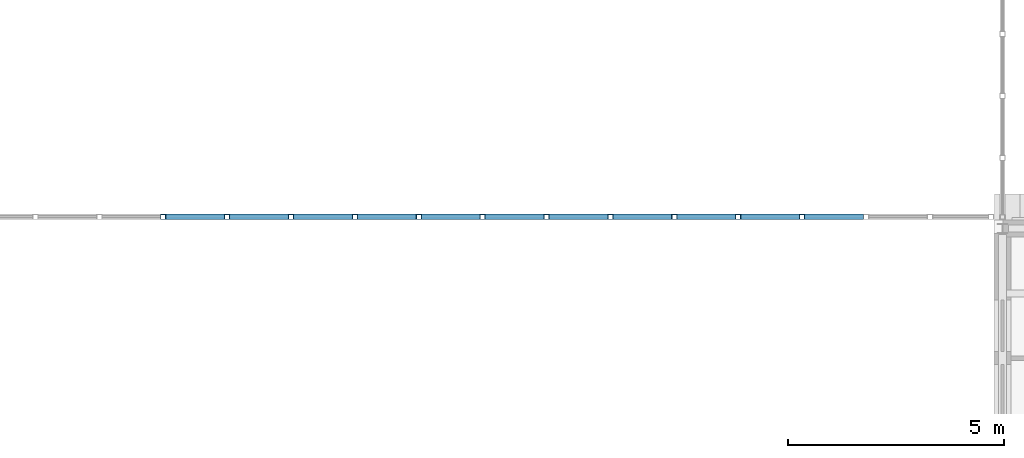
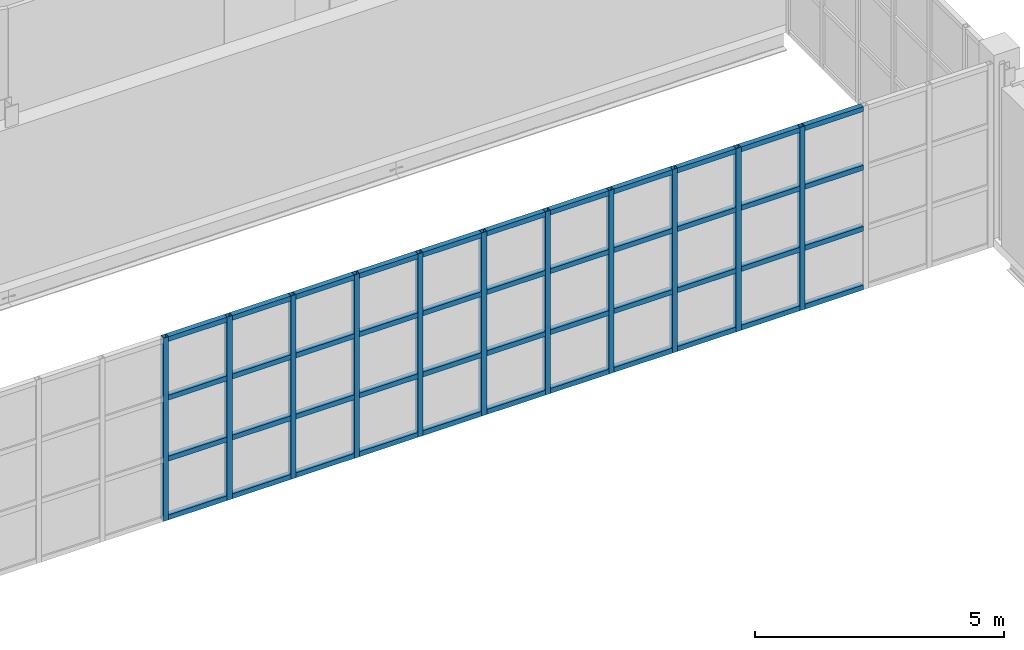
# One storey, part 48 of 131: 55 members, 1 element without a shape of its own.
"""IFC4 building model written with IfcOpenShell, lengths in metres."""

from ifc_helpers import new_model, si_unit, direction, frame, origin, origin_2d, place, context, subcontext, project, spatial, hollow_rectangle, extrude, material, material_profile, profile_set, type_object, element, aggregate, save


model = new_model("IFC4")

# Units and contexts
model_context = context("Model", 3, precision=1e-05, world=origin(), true_north=direction((0.0, 1.0)))
body_context = subcontext(model_context, "Body", "Model", "MODEL_VIEW")
ifc_project = project(units=[si_unit("LENGTHUNIT", "METRE"), si_unit("AREAUNIT", "SQUARE_METRE"), si_unit("VOLUMEUNIT", "CUBIC_METRE"), si_unit("PLANEANGLEUNIT", "RADIAN"), si_unit("MASSUNIT", "GRAM", prefix="KILO")], contexts=[model_context])

# Site, building, storey
site_placement = place(None, origin())
site = spatial("IfcSite", under=ifc_project, at=site_placement, CompositionType="ELEMENT")
building_placement = place(site_placement, origin())
building = spatial("IfcBuilding", under=site, at=building_placement, Name="Golden Quay Civic Hall", CompositionType="ELEMENT")
storey_placement = place(building_placement, frame((0.0, 0.0, 9.89990234375)))
storey = spatial("IfcBuildingStorey", under=building, at=storey_placement, Name="L02", CompositionType="ELEMENT", Elevation=9.89990234375)

# Curtain wall, members
ifc_material_1 = material(Name="Fire-resisting glass and steel", Category="steel")
curtain_wall_type = type_object("IfcCurtainWallType", Name="Fire-resisting glazed curtain wall EI 120", PredefinedType="NOTDEFINED", material=ifc_material_1)
curtain_wall_placement = place(storey_placement, origin())
curtain_wall = element("IfcCurtainWall", 1, at=curtain_wall_placement, inside=storey, type_object=curtain_wall_type, Name="CW3 curtain wall", PredefinedType="NOTDEFINED")
ifc_material_2 = material(Name="Steel S355", Category="steel")
ifc_material_profile_1 = material_profile(ifc_material_2, hollow_rectangle(XDim=0.1201171875, YDim=0.1201171875, WallThickness=0.008056640625, at=origin_2d()), Name="SHS 120x120x8")
ifc_profile_set_1 = profile_set([ifc_material_profile_1], Name="Steel S355")
member_type_1 = type_object("IfcMemberType", Name="Fire-resisting steel mullion SHS 120x120x8", PredefinedType="MULLION", material=ifc_profile_set_1)
member_1_placement = place(storey_placement, frame((79.5888671875, 54.27001953125, -0.199951171875), z_axis=(0.0, 0.0, 1.0), x_axis=(0.0, 1.0, 0.0)))
member_1 = element("IfcMember", 2, at=member_1_placement, type_object=member_type_1, Name="CW3 mullion 6", PredefinedType="MULLION", context=body_context, shape_type="SweptSolid", body=[
    extrude(hollow_rectangle(XDim=0.1201171875, YDim=0.1201171875, WallThickness=0.008056640625, at=origin_2d()), origin(), (0.0, 0.0, 1.0), 4.5),
])
member_2_placement = place(storey_placement, frame((81.066650390625, 54.27001953125, -0.199951171875), z_axis=(0.0, 0.0, 1.0), x_axis=(0.0, 1.0, 0.0)))
member_2 = element("IfcMember", 3, at=member_2_placement, type_object=member_type_1, Name="CW3 mullion 7", PredefinedType="MULLION", context=body_context, shape_type="SweptSolid", body=[
    extrude(hollow_rectangle(XDim=0.1201171875, YDim=0.1201171875, WallThickness=0.008056640625, at=origin_2d()), origin(), (0.0, 0.0, 1.0), 4.5),
])
member_3_placement = place(storey_placement, frame((82.54443359375, 54.27001953125, -0.199951171875), z_axis=(0.0, 0.0, 1.0), x_axis=(0.0, 1.0, 0.0)))
member_3 = element("IfcMember", 4, at=member_3_placement, type_object=member_type_1, Name="CW3 mullion 8", PredefinedType="MULLION", context=body_context, shape_type="SweptSolid", body=[
    extrude(hollow_rectangle(XDim=0.1201171875, YDim=0.1201171875, WallThickness=0.008056640625, at=origin_2d()), origin(), (0.0, 0.0, 1.0), 4.5),
])
member_4_placement = place(storey_placement, frame((84.022216796875, 54.27001953125, -0.199951171875), z_axis=(0.0, 0.0, 1.0), x_axis=(0.0, 1.0, 0.0)))
member_4 = element("IfcMember", 5, at=member_4_placement, type_object=member_type_1, Name="CW3 mullion 9", PredefinedType="MULLION", context=body_context, shape_type="SweptSolid", body=[
    extrude(hollow_rectangle(XDim=0.1201171875, YDim=0.1201171875, WallThickness=0.008056640625, at=origin_2d()), origin(), (0.0, 0.0, 1.0), 4.5),
])
member_5_placement = place(storey_placement, frame((85.5, 54.27001953125, -0.199951171875), z_axis=(0.0, 0.0, 1.0), x_axis=(0.0, 1.0, 0.0)))
member_5 = element("IfcMember", 6, at=member_5_placement, type_object=member_type_1, Name="CW3 mullion 10", PredefinedType="MULLION", context=body_context, shape_type="SweptSolid", body=[
    extrude(hollow_rectangle(XDim=0.1201171875, YDim=0.1201171875, WallThickness=0.008056640625, at=origin_2d()), origin(), (0.0, 0.0, 1.0), 4.5),
])
member_6_placement = place(storey_placement, frame((86.977783203125, 54.27001953125, -0.199951171875), z_axis=(0.0, 0.0, 1.0), x_axis=(0.0, 1.0, 0.0)))
member_6 = element("IfcMember", 7, at=member_6_placement, type_object=member_type_1, Name="CW3 mullion 11", PredefinedType="MULLION", context=body_context, shape_type="SweptSolid", body=[
    extrude(hollow_rectangle(XDim=0.1201171875, YDim=0.1201171875, WallThickness=0.008056640625, at=origin_2d()), origin(), (0.0, 0.0, 1.0), 4.5),
])
member_7_placement = place(storey_placement, frame((88.45556640625, 54.27001953125, -0.199951171875), z_axis=(0.0, 0.0, 1.0), x_axis=(0.0, 1.0, 0.0)))
member_7 = element("IfcMember", 8, at=member_7_placement, type_object=member_type_1, Name="CW3 mullion 12", PredefinedType="MULLION", context=body_context, shape_type="SweptSolid", body=[
    extrude(hollow_rectangle(XDim=0.1201171875, YDim=0.1201171875, WallThickness=0.008056640625, at=origin_2d()), origin(), (0.0, 0.0, 1.0), 4.5),
])
member_8_placement = place(storey_placement, frame((89.933349609375, 54.27001953125, -0.199951171875), z_axis=(0.0, 0.0, 1.0), x_axis=(0.0, 1.0, 0.0)))
member_8 = element("IfcMember", 9, at=member_8_placement, type_object=member_type_1, Name="CW3 mullion 13", PredefinedType="MULLION", context=body_context, shape_type="SweptSolid", body=[
    extrude(hollow_rectangle(XDim=0.1201171875, YDim=0.1201171875, WallThickness=0.008056640625, at=origin_2d()), origin(), (0.0, 0.0, 1.0), 4.5),
])
member_9_placement = place(storey_placement, frame((91.4111328125, 54.27001953125, -0.199951171875), z_axis=(0.0, 0.0, 1.0), x_axis=(0.0, 1.0, 0.0)))
member_9 = element("IfcMember", 10, at=member_9_placement, type_object=member_type_1, Name="CW3 mullion 14", PredefinedType="MULLION", context=body_context, shape_type="SweptSolid", body=[
    extrude(hollow_rectangle(XDim=0.1201171875, YDim=0.1201171875, WallThickness=0.008056640625, at=origin_2d()), origin(), (0.0, 0.0, 1.0), 4.5),
])
member_10_placement = place(storey_placement, frame((92.888916015625, 54.27001953125, -0.199951171875), z_axis=(0.0, 0.0, 1.0), x_axis=(0.0, 1.0, 0.0)))
member_10 = element("IfcMember", 11, at=member_10_placement, type_object=member_type_1, Name="CW3 mullion 15", PredefinedType="MULLION", context=body_context, shape_type="SweptSolid", body=[
    extrude(hollow_rectangle(XDim=0.1201171875, YDim=0.1201171875, WallThickness=0.008056640625, at=origin_2d()), origin(), (0.0, 0.0, 1.0), 4.5),
])
member_11_placement = place(storey_placement, frame((94.36669921875, 54.27001953125, -0.199951171875), z_axis=(0.0, 0.0, 1.0), x_axis=(0.0, 1.0, 0.0)))
member_11 = element("IfcMember", 12, at=member_11_placement, type_object=member_type_1, Name="CW3 mullion 16", PredefinedType="MULLION", context=body_context, shape_type="SweptSolid", body=[
    extrude(hollow_rectangle(XDim=0.1201171875, YDim=0.1201171875, WallThickness=0.008056640625, at=origin_2d()), origin(), (0.0, 0.0, 1.0), 4.5),
])
ifc_material_3 = material(Name="Steel S355", Category="steel")
ifc_material_profile_2 = material_profile(ifc_material_3, hollow_rectangle(XDim=0.1201171875, YDim=0.1201171875, WallThickness=0.008056640625, at=origin_2d()), Name="SHS 120x120x8")
ifc_profile_set_2 = profile_set([ifc_material_profile_2], Name="Steel S355")
member_type_2 = type_object("IfcMemberType", Name="Fire-resisting steel transom SHS 120x120x8", PredefinedType="USERDEFINED", material=ifc_profile_set_2)
member_12_placement = place(storey_placement, frame((79.64892578125, 54.27001953125, -0.139892578125), z_axis=(1.0, 0.0, 0.0), x_axis=(0.0, 1.0, 0.0)))
member_12 = element("IfcMember", 13, at=member_12_placement, type_object=member_type_2, Name="CW3 transom 6.1", ObjectType="TRANSOM", PredefinedType="USERDEFINED", context=body_context, shape_type="SweptSolid", body=[
    extrude(hollow_rectangle(XDim=0.1201171875, YDim=0.1201171875, WallThickness=0.008056640625, at=origin_2d()), origin(), (0.0, 0.0, 1.0), 1.357666015625),
])
member_13_placement = place(storey_placement, frame((79.64892578125, 54.27001953125, 1.300048828125), z_axis=(1.0, 0.0, 0.0), x_axis=(0.0, 1.0, 0.0)))
member_13 = element("IfcMember", 14, at=member_13_placement, type_object=member_type_2, Name="CW3 transom 6.2", ObjectType="TRANSOM", PredefinedType="USERDEFINED", context=body_context, shape_type="SweptSolid", body=[
    extrude(hollow_rectangle(XDim=0.1201171875, YDim=0.1201171875, WallThickness=0.008056640625, at=origin_2d()), origin(), (0.0, 0.0, 1.0), 1.357666015625),
])
member_14_placement = place(storey_placement, frame((79.64892578125, 54.27001953125, 2.800048828125), z_axis=(1.0, 0.0, 0.0), x_axis=(0.0, 1.0, 0.0)))
member_14 = element("IfcMember", 15, at=member_14_placement, type_object=member_type_2, Name="CW3 transom 6.3", ObjectType="TRANSOM", PredefinedType="USERDEFINED", context=body_context, shape_type="SweptSolid", body=[
    extrude(hollow_rectangle(XDim=0.1201171875, YDim=0.1201171875, WallThickness=0.008056640625, at=origin_2d()), origin(), (0.0, 0.0, 1.0), 1.357666015625),
])
member_15_placement = place(storey_placement, frame((79.64892578125, 54.27001953125, 4.239990234375), z_axis=(1.0, 0.0, 0.0), x_axis=(0.0, 1.0, 0.0)))
member_15 = element("IfcMember", 16, at=member_15_placement, type_object=member_type_2, Name="CW3 transom 6.4", ObjectType="TRANSOM", PredefinedType="USERDEFINED", context=body_context, shape_type="SweptSolid", body=[
    extrude(hollow_rectangle(XDim=0.1201171875, YDim=0.1201171875, WallThickness=0.008056640625, at=origin_2d()), origin(), (0.0, 0.0, 1.0), 1.357666015625),
])
member_16_placement = place(storey_placement, frame((81.126708984375, 54.27001953125, -0.139892578125), z_axis=(1.0, 0.0, 0.0), x_axis=(0.0, 1.0, 0.0)))
member_16 = element("IfcMember", 17, at=member_16_placement, type_object=member_type_2, Name="CW3 transom 7.1", ObjectType="TRANSOM", PredefinedType="USERDEFINED", context=body_context, shape_type="SweptSolid", body=[
    extrude(hollow_rectangle(XDim=0.1201171875, YDim=0.1201171875, WallThickness=0.008056640625, at=origin_2d()), origin(), (0.0, 0.0, 1.0), 1.357666015625),
])
member_17_placement = place(storey_placement, frame((81.126708984375, 54.27001953125, 1.300048828125), z_axis=(1.0, 0.0, 0.0), x_axis=(0.0, 1.0, 0.0)))
member_17 = element("IfcMember", 18, at=member_17_placement, type_object=member_type_2, Name="CW3 transom 7.2", ObjectType="TRANSOM", PredefinedType="USERDEFINED", context=body_context, shape_type="SweptSolid", body=[
    extrude(hollow_rectangle(XDim=0.1201171875, YDim=0.1201171875, WallThickness=0.008056640625, at=origin_2d()), origin(), (0.0, 0.0, 1.0), 1.357666015625),
])
member_18_placement = place(storey_placement, frame((81.126708984375, 54.27001953125, 2.800048828125), z_axis=(1.0, 0.0, 0.0), x_axis=(0.0, 1.0, 0.0)))
member_18 = element("IfcMember", 19, at=member_18_placement, type_object=member_type_2, Name="CW3 transom 7.3", ObjectType="TRANSOM", PredefinedType="USERDEFINED", context=body_context, shape_type="SweptSolid", body=[
    extrude(hollow_rectangle(XDim=0.1201171875, YDim=0.1201171875, WallThickness=0.008056640625, at=origin_2d()), origin(), (0.0, 0.0, 1.0), 1.357666015625),
])
member_19_placement = place(storey_placement, frame((81.126708984375, 54.27001953125, 4.239990234375), z_axis=(1.0, 0.0, 0.0), x_axis=(0.0, 1.0, 0.0)))
member_19 = element("IfcMember", 20, at=member_19_placement, type_object=member_type_2, Name="CW3 transom 7.4", ObjectType="TRANSOM", PredefinedType="USERDEFINED", context=body_context, shape_type="SweptSolid", body=[
    extrude(hollow_rectangle(XDim=0.1201171875, YDim=0.1201171875, WallThickness=0.008056640625, at=origin_2d()), origin(), (0.0, 0.0, 1.0), 1.357666015625),
])
member_20_placement = place(storey_placement, frame((82.6044921875, 54.27001953125, -0.139892578125), z_axis=(1.0, 0.0, 0.0), x_axis=(0.0, 1.0, 0.0)))
member_20 = element("IfcMember", 21, at=member_20_placement, type_object=member_type_2, Name="CW3 transom 8.1", ObjectType="TRANSOM", PredefinedType="USERDEFINED", context=body_context, shape_type="SweptSolid", body=[
    extrude(hollow_rectangle(XDim=0.1201171875, YDim=0.1201171875, WallThickness=0.008056640625, at=origin_2d()), origin(), (0.0, 0.0, 1.0), 1.357666015625),
])
member_21_placement = place(storey_placement, frame((82.6044921875, 54.27001953125, 1.300048828125), z_axis=(1.0, 0.0, 0.0), x_axis=(0.0, 1.0, 0.0)))
member_21 = element("IfcMember", 22, at=member_21_placement, type_object=member_type_2, Name="CW3 transom 8.2", ObjectType="TRANSOM", PredefinedType="USERDEFINED", context=body_context, shape_type="SweptSolid", body=[
    extrude(hollow_rectangle(XDim=0.1201171875, YDim=0.1201171875, WallThickness=0.008056640625, at=origin_2d()), origin(), (0.0, 0.0, 1.0), 1.357666015625),
])
member_22_placement = place(storey_placement, frame((82.6044921875, 54.27001953125, 2.800048828125), z_axis=(1.0, 0.0, 0.0), x_axis=(0.0, 1.0, 0.0)))
member_22 = element("IfcMember", 23, at=member_22_placement, type_object=member_type_2, Name="CW3 transom 8.3", ObjectType="TRANSOM", PredefinedType="USERDEFINED", context=body_context, shape_type="SweptSolid", body=[
    extrude(hollow_rectangle(XDim=0.1201171875, YDim=0.1201171875, WallThickness=0.008056640625, at=origin_2d()), origin(), (0.0, 0.0, 1.0), 1.357666015625),
])
member_23_placement = place(storey_placement, frame((82.6044921875, 54.27001953125, 4.239990234375), z_axis=(1.0, 0.0, 0.0), x_axis=(0.0, 1.0, 0.0)))
member_23 = element("IfcMember", 24, at=member_23_placement, type_object=member_type_2, Name="CW3 transom 8.4", ObjectType="TRANSOM", PredefinedType="USERDEFINED", context=body_context, shape_type="SweptSolid", body=[
    extrude(hollow_rectangle(XDim=0.1201171875, YDim=0.1201171875, WallThickness=0.008056640625, at=origin_2d()), origin(), (0.0, 0.0, 1.0), 1.357666015625),
])
member_24_placement = place(storey_placement, frame((84.082275390625, 54.27001953125, -0.139892578125), z_axis=(1.0, 0.0, 0.0), x_axis=(0.0, 1.0, 0.0)))
member_24 = element("IfcMember", 25, at=member_24_placement, type_object=member_type_2, Name="CW3 transom 9.1", ObjectType="TRANSOM", PredefinedType="USERDEFINED", context=body_context, shape_type="SweptSolid", body=[
    extrude(hollow_rectangle(XDim=0.1201171875, YDim=0.1201171875, WallThickness=0.008056640625, at=origin_2d()), origin(), (0.0, 0.0, 1.0), 1.357666015625),
])
member_25_placement = place(storey_placement, frame((84.082275390625, 54.27001953125, 1.300048828125), z_axis=(1.0, 0.0, 0.0), x_axis=(0.0, 1.0, 0.0)))
member_25 = element("IfcMember", 26, at=member_25_placement, type_object=member_type_2, Name="CW3 transom 9.2", ObjectType="TRANSOM", PredefinedType="USERDEFINED", context=body_context, shape_type="SweptSolid", body=[
    extrude(hollow_rectangle(XDim=0.1201171875, YDim=0.1201171875, WallThickness=0.008056640625, at=origin_2d()), origin(), (0.0, 0.0, 1.0), 1.357666015625),
])
member_26_placement = place(storey_placement, frame((84.082275390625, 54.27001953125, 2.800048828125), z_axis=(1.0, 0.0, 0.0), x_axis=(0.0, 1.0, 0.0)))
member_26 = element("IfcMember", 27, at=member_26_placement, type_object=member_type_2, Name="CW3 transom 9.3", ObjectType="TRANSOM", PredefinedType="USERDEFINED", context=body_context, shape_type="SweptSolid", body=[
    extrude(hollow_rectangle(XDim=0.1201171875, YDim=0.1201171875, WallThickness=0.008056640625, at=origin_2d()), origin(), (0.0, 0.0, 1.0), 1.357666015625),
])
member_27_placement = place(storey_placement, frame((84.082275390625, 54.27001953125, 4.239990234375), z_axis=(1.0, 0.0, 0.0), x_axis=(0.0, 1.0, 0.0)))
member_27 = element("IfcMember", 28, at=member_27_placement, type_object=member_type_2, Name="CW3 transom 9.4", ObjectType="TRANSOM", PredefinedType="USERDEFINED", context=body_context, shape_type="SweptSolid", body=[
    extrude(hollow_rectangle(XDim=0.1201171875, YDim=0.1201171875, WallThickness=0.008056640625, at=origin_2d()), origin(), (0.0, 0.0, 1.0), 1.357666015625),
])
member_28_placement = place(storey_placement, frame((85.56005859375, 54.27001953125, -0.139892578125), z_axis=(1.0, 0.0, 0.0), x_axis=(0.0, 1.0, 0.0)))
member_28 = element("IfcMember", 29, at=member_28_placement, type_object=member_type_2, Name="CW3 transom 10.1", ObjectType="TRANSOM", PredefinedType="USERDEFINED", context=body_context, shape_type="SweptSolid", body=[
    extrude(hollow_rectangle(XDim=0.1201171875, YDim=0.1201171875, WallThickness=0.008056640625, at=origin_2d()), origin(), (0.0, 0.0, 1.0), 1.357666015625),
])
member_29_placement = place(storey_placement, frame((85.56005859375, 54.27001953125, 1.300048828125), z_axis=(1.0, 0.0, 0.0), x_axis=(0.0, 1.0, 0.0)))
member_29 = element("IfcMember", 30, at=member_29_placement, type_object=member_type_2, Name="CW3 transom 10.2", ObjectType="TRANSOM", PredefinedType="USERDEFINED", context=body_context, shape_type="SweptSolid", body=[
    extrude(hollow_rectangle(XDim=0.1201171875, YDim=0.1201171875, WallThickness=0.008056640625, at=origin_2d()), origin(), (0.0, 0.0, 1.0), 1.357666015625),
])
member_30_placement = place(storey_placement, frame((85.56005859375, 54.27001953125, 2.800048828125), z_axis=(1.0, 0.0, 0.0), x_axis=(0.0, 1.0, 0.0)))
member_30 = element("IfcMember", 31, at=member_30_placement, type_object=member_type_2, Name="CW3 transom 10.3", ObjectType="TRANSOM", PredefinedType="USERDEFINED", context=body_context, shape_type="SweptSolid", body=[
    extrude(hollow_rectangle(XDim=0.1201171875, YDim=0.1201171875, WallThickness=0.008056640625, at=origin_2d()), origin(), (0.0, 0.0, 1.0), 1.357666015625),
])
member_31_placement = place(storey_placement, frame((85.56005859375, 54.27001953125, 4.239990234375), z_axis=(1.0, 0.0, 0.0), x_axis=(0.0, 1.0, 0.0)))
member_31 = element("IfcMember", 32, at=member_31_placement, type_object=member_type_2, Name="CW3 transom 10.4", ObjectType="TRANSOM", PredefinedType="USERDEFINED", context=body_context, shape_type="SweptSolid", body=[
    extrude(hollow_rectangle(XDim=0.1201171875, YDim=0.1201171875, WallThickness=0.008056640625, at=origin_2d()), origin(), (0.0, 0.0, 1.0), 1.357666015625),
])
member_32_placement = place(storey_placement, frame((87.037841796875, 54.27001953125, -0.139892578125), z_axis=(1.0, 0.0, 0.0), x_axis=(0.0, 1.0, 0.0)))
member_32 = element("IfcMember", 33, at=member_32_placement, type_object=member_type_2, Name="CW3 transom 11.1", ObjectType="TRANSOM", PredefinedType="USERDEFINED", context=body_context, shape_type="SweptSolid", body=[
    extrude(hollow_rectangle(XDim=0.1201171875, YDim=0.1201171875, WallThickness=0.008056640625, at=origin_2d()), origin(), (0.0, 0.0, 1.0), 1.357666015625),
])
member_33_placement = place(storey_placement, frame((87.037841796875, 54.27001953125, 1.300048828125), z_axis=(1.0, 0.0, 0.0), x_axis=(0.0, 1.0, 0.0)))
member_33 = element("IfcMember", 34, at=member_33_placement, type_object=member_type_2, Name="CW3 transom 11.2", ObjectType="TRANSOM", PredefinedType="USERDEFINED", context=body_context, shape_type="SweptSolid", body=[
    extrude(hollow_rectangle(XDim=0.1201171875, YDim=0.1201171875, WallThickness=0.008056640625, at=origin_2d()), origin(), (0.0, 0.0, 1.0), 1.357666015625),
])
member_34_placement = place(storey_placement, frame((87.037841796875, 54.27001953125, 2.800048828125), z_axis=(1.0, 0.0, 0.0), x_axis=(0.0, 1.0, 0.0)))
member_34 = element("IfcMember", 35, at=member_34_placement, type_object=member_type_2, Name="CW3 transom 11.3", ObjectType="TRANSOM", PredefinedType="USERDEFINED", context=body_context, shape_type="SweptSolid", body=[
    extrude(hollow_rectangle(XDim=0.1201171875, YDim=0.1201171875, WallThickness=0.008056640625, at=origin_2d()), origin(), (0.0, 0.0, 1.0), 1.357666015625),
])
member_35_placement = place(storey_placement, frame((87.037841796875, 54.27001953125, 4.239990234375), z_axis=(1.0, 0.0, 0.0), x_axis=(0.0, 1.0, 0.0)))
member_35 = element("IfcMember", 36, at=member_35_placement, type_object=member_type_2, Name="CW3 transom 11.4", ObjectType="TRANSOM", PredefinedType="USERDEFINED", context=body_context, shape_type="SweptSolid", body=[
    extrude(hollow_rectangle(XDim=0.1201171875, YDim=0.1201171875, WallThickness=0.008056640625, at=origin_2d()), origin(), (0.0, 0.0, 1.0), 1.357666015625),
])
member_36_placement = place(storey_placement, frame((88.515625, 54.27001953125, -0.139892578125), z_axis=(1.0, 0.0, 0.0), x_axis=(0.0, 1.0, 0.0)))
member_36 = element("IfcMember", 37, at=member_36_placement, type_object=member_type_2, Name="CW3 transom 12.1", ObjectType="TRANSOM", PredefinedType="USERDEFINED", context=body_context, shape_type="SweptSolid", body=[
    extrude(hollow_rectangle(XDim=0.1201171875, YDim=0.1201171875, WallThickness=0.008056640625, at=origin_2d()), origin(), (0.0, 0.0, 1.0), 1.357666015625),
])
member_37_placement = place(storey_placement, frame((88.515625, 54.27001953125, 1.300048828125), z_axis=(1.0, 0.0, 0.0), x_axis=(0.0, 1.0, 0.0)))
member_37 = element("IfcMember", 38, at=member_37_placement, type_object=member_type_2, Name="CW3 transom 12.2", ObjectType="TRANSOM", PredefinedType="USERDEFINED", context=body_context, shape_type="SweptSolid", body=[
    extrude(hollow_rectangle(XDim=0.1201171875, YDim=0.1201171875, WallThickness=0.008056640625, at=origin_2d()), origin(), (0.0, 0.0, 1.0), 1.357666015625),
])
member_38_placement = place(storey_placement, frame((88.515625, 54.27001953125, 2.800048828125), z_axis=(1.0, 0.0, 0.0), x_axis=(0.0, 1.0, 0.0)))
member_38 = element("IfcMember", 39, at=member_38_placement, type_object=member_type_2, Name="CW3 transom 12.3", ObjectType="TRANSOM", PredefinedType="USERDEFINED", context=body_context, shape_type="SweptSolid", body=[
    extrude(hollow_rectangle(XDim=0.1201171875, YDim=0.1201171875, WallThickness=0.008056640625, at=origin_2d()), origin(), (0.0, 0.0, 1.0), 1.357666015625),
])
member_39_placement = place(storey_placement, frame((88.515625, 54.27001953125, 4.239990234375), z_axis=(1.0, 0.0, 0.0), x_axis=(0.0, 1.0, 0.0)))
member_39 = element("IfcMember", 40, at=member_39_placement, type_object=member_type_2, Name="CW3 transom 12.4", ObjectType="TRANSOM", PredefinedType="USERDEFINED", context=body_context, shape_type="SweptSolid", body=[
    extrude(hollow_rectangle(XDim=0.1201171875, YDim=0.1201171875, WallThickness=0.008056640625, at=origin_2d()), origin(), (0.0, 0.0, 1.0), 1.357666015625),
])
member_40_placement = place(storey_placement, frame((89.993408203125, 54.27001953125, -0.139892578125), z_axis=(1.0, 0.0, 0.0), x_axis=(0.0, 1.0, 0.0)))
member_40 = element("IfcMember", 41, at=member_40_placement, type_object=member_type_2, Name="CW3 transom 13.1", ObjectType="TRANSOM", PredefinedType="USERDEFINED", context=body_context, shape_type="SweptSolid", body=[
    extrude(hollow_rectangle(XDim=0.1201171875, YDim=0.1201171875, WallThickness=0.008056640625, at=origin_2d()), origin(), (0.0, 0.0, 1.0), 1.357666015625),
])
member_41_placement = place(storey_placement, frame((89.993408203125, 54.27001953125, 1.300048828125), z_axis=(1.0, 0.0, 0.0), x_axis=(0.0, 1.0, 0.0)))
member_41 = element("IfcMember", 42, at=member_41_placement, type_object=member_type_2, Name="CW3 transom 13.2", ObjectType="TRANSOM", PredefinedType="USERDEFINED", context=body_context, shape_type="SweptSolid", body=[
    extrude(hollow_rectangle(XDim=0.1201171875, YDim=0.1201171875, WallThickness=0.008056640625, at=origin_2d()), origin(), (0.0, 0.0, 1.0), 1.357666015625),
])
member_42_placement = place(storey_placement, frame((89.993408203125, 54.27001953125, 2.800048828125), z_axis=(1.0, 0.0, 0.0), x_axis=(0.0, 1.0, 0.0)))
member_42 = element("IfcMember", 43, at=member_42_placement, type_object=member_type_2, Name="CW3 transom 13.3", ObjectType="TRANSOM", PredefinedType="USERDEFINED", context=body_context, shape_type="SweptSolid", body=[
    extrude(hollow_rectangle(XDim=0.1201171875, YDim=0.1201171875, WallThickness=0.008056640625, at=origin_2d()), origin(), (0.0, 0.0, 1.0), 1.357666015625),
])
member_43_placement = place(storey_placement, frame((89.993408203125, 54.27001953125, 4.239990234375), z_axis=(1.0, 0.0, 0.0), x_axis=(0.0, 1.0, 0.0)))
member_43 = element("IfcMember", 44, at=member_43_placement, type_object=member_type_2, Name="CW3 transom 13.4", ObjectType="TRANSOM", PredefinedType="USERDEFINED", context=body_context, shape_type="SweptSolid", body=[
    extrude(hollow_rectangle(XDim=0.1201171875, YDim=0.1201171875, WallThickness=0.008056640625, at=origin_2d()), origin(), (0.0, 0.0, 1.0), 1.357666015625),
])
member_44_placement = place(storey_placement, frame((91.47119140625, 54.27001953125, -0.139892578125), z_axis=(1.0, 0.0, 0.0), x_axis=(0.0, 1.0, 0.0)))
member_44 = element("IfcMember", 45, at=member_44_placement, type_object=member_type_2, Name="CW3 transom 14.1", ObjectType="TRANSOM", PredefinedType="USERDEFINED", context=body_context, shape_type="SweptSolid", body=[
    extrude(hollow_rectangle(XDim=0.1201171875, YDim=0.1201171875, WallThickness=0.008056640625, at=origin_2d()), origin(), (0.0, 0.0, 1.0), 1.357666015625),
])
member_45_placement = place(storey_placement, frame((91.47119140625, 54.27001953125, 1.300048828125), z_axis=(1.0, 0.0, 0.0), x_axis=(0.0, 1.0, 0.0)))
member_45 = element("IfcMember", 46, at=member_45_placement, type_object=member_type_2, Name="CW3 transom 14.2", ObjectType="TRANSOM", PredefinedType="USERDEFINED", context=body_context, shape_type="SweptSolid", body=[
    extrude(hollow_rectangle(XDim=0.1201171875, YDim=0.1201171875, WallThickness=0.008056640625, at=origin_2d()), origin(), (0.0, 0.0, 1.0), 1.357666015625),
])
member_46_placement = place(storey_placement, frame((91.47119140625, 54.27001953125, 2.800048828125), z_axis=(1.0, 0.0, 0.0), x_axis=(0.0, 1.0, 0.0)))
member_46 = element("IfcMember", 47, at=member_46_placement, type_object=member_type_2, Name="CW3 transom 14.3", ObjectType="TRANSOM", PredefinedType="USERDEFINED", context=body_context, shape_type="SweptSolid", body=[
    extrude(hollow_rectangle(XDim=0.1201171875, YDim=0.1201171875, WallThickness=0.008056640625, at=origin_2d()), origin(), (0.0, 0.0, 1.0), 1.357666015625),
])
member_47_placement = place(storey_placement, frame((91.47119140625, 54.27001953125, 4.239990234375), z_axis=(1.0, 0.0, 0.0), x_axis=(0.0, 1.0, 0.0)))
member_47 = element("IfcMember", 48, at=member_47_placement, type_object=member_type_2, Name="CW3 transom 14.4", ObjectType="TRANSOM", PredefinedType="USERDEFINED", context=body_context, shape_type="SweptSolid", body=[
    extrude(hollow_rectangle(XDim=0.1201171875, YDim=0.1201171875, WallThickness=0.008056640625, at=origin_2d()), origin(), (0.0, 0.0, 1.0), 1.357666015625),
])
member_48_placement = place(storey_placement, frame((92.948974609375, 54.27001953125, -0.139892578125), z_axis=(1.0, 0.0, 0.0), x_axis=(0.0, 1.0, 0.0)))
member_48 = element("IfcMember", 49, at=member_48_placement, type_object=member_type_2, Name="CW3 transom 15.1", ObjectType="TRANSOM", PredefinedType="USERDEFINED", context=body_context, shape_type="SweptSolid", body=[
    extrude(hollow_rectangle(XDim=0.1201171875, YDim=0.1201171875, WallThickness=0.008056640625, at=origin_2d()), origin(), (0.0, 0.0, 1.0), 1.357666015625),
])
member_49_placement = place(storey_placement, frame((92.948974609375, 54.27001953125, 1.300048828125), z_axis=(1.0, 0.0, 0.0), x_axis=(0.0, 1.0, 0.0)))
member_49 = element("IfcMember", 50, at=member_49_placement, type_object=member_type_2, Name="CW3 transom 15.2", ObjectType="TRANSOM", PredefinedType="USERDEFINED", context=body_context, shape_type="SweptSolid", body=[
    extrude(hollow_rectangle(XDim=0.1201171875, YDim=0.1201171875, WallThickness=0.008056640625, at=origin_2d()), origin(), (0.0, 0.0, 1.0), 1.357666015625),
])
member_50_placement = place(storey_placement, frame((92.948974609375, 54.27001953125, 2.800048828125), z_axis=(1.0, 0.0, 0.0), x_axis=(0.0, 1.0, 0.0)))
member_50 = element("IfcMember", 51, at=member_50_placement, type_object=member_type_2, Name="CW3 transom 15.3", ObjectType="TRANSOM", PredefinedType="USERDEFINED", context=body_context, shape_type="SweptSolid", body=[
    extrude(hollow_rectangle(XDim=0.1201171875, YDim=0.1201171875, WallThickness=0.008056640625, at=origin_2d()), origin(), (0.0, 0.0, 1.0), 1.357666015625),
])
member_51_placement = place(storey_placement, frame((92.948974609375, 54.27001953125, 4.239990234375), z_axis=(1.0, 0.0, 0.0), x_axis=(0.0, 1.0, 0.0)))
member_51 = element("IfcMember", 52, at=member_51_placement, type_object=member_type_2, Name="CW3 transom 15.4", ObjectType="TRANSOM", PredefinedType="USERDEFINED", context=body_context, shape_type="SweptSolid", body=[
    extrude(hollow_rectangle(XDim=0.1201171875, YDim=0.1201171875, WallThickness=0.008056640625, at=origin_2d()), origin(), (0.0, 0.0, 1.0), 1.357666015625),
])
member_52_placement = place(storey_placement, frame((94.4267578125, 54.27001953125, -0.139892578125), z_axis=(1.0, 0.0, 0.0), x_axis=(0.0, 1.0, 0.0)))
member_52 = element("IfcMember", 53, at=member_52_placement, type_object=member_type_2, Name="CW3 transom 16.1", ObjectType="TRANSOM", PredefinedType="USERDEFINED", context=body_context, shape_type="SweptSolid", body=[
    extrude(hollow_rectangle(XDim=0.1201171875, YDim=0.1201171875, WallThickness=0.008056640625, at=origin_2d()), origin(), (0.0, 0.0, 1.0), 1.357666015625),
])
member_53_placement = place(storey_placement, frame((94.4267578125, 54.27001953125, 1.300048828125), z_axis=(1.0, 0.0, 0.0), x_axis=(0.0, 1.0, 0.0)))
member_53 = element("IfcMember", 54, at=member_53_placement, type_object=member_type_2, Name="CW3 transom 16.2", ObjectType="TRANSOM", PredefinedType="USERDEFINED", context=body_context, shape_type="SweptSolid", body=[
    extrude(hollow_rectangle(XDim=0.1201171875, YDim=0.1201171875, WallThickness=0.008056640625, at=origin_2d()), origin(), (0.0, 0.0, 1.0), 1.357666015625),
])
member_54_placement = place(storey_placement, frame((94.4267578125, 54.27001953125, 2.800048828125), z_axis=(1.0, 0.0, 0.0), x_axis=(0.0, 1.0, 0.0)))
member_54 = element("IfcMember", 55, at=member_54_placement, type_object=member_type_2, Name="CW3 transom 16.3", ObjectType="TRANSOM", PredefinedType="USERDEFINED", context=body_context, shape_type="SweptSolid", body=[
    extrude(hollow_rectangle(XDim=0.1201171875, YDim=0.1201171875, WallThickness=0.008056640625, at=origin_2d()), origin(), (0.0, 0.0, 1.0), 1.357666015625),
])
member_55_placement = place(storey_placement, frame((94.4267578125, 54.27001953125, 4.239990234375), z_axis=(1.0, 0.0, 0.0), x_axis=(0.0, 1.0, 0.0)))
member_55 = element("IfcMember", 56, at=member_55_placement, type_object=member_type_2, Name="CW3 transom 16.4", ObjectType="TRANSOM", PredefinedType="USERDEFINED", context=body_context, shape_type="SweptSolid", body=[
    extrude(hollow_rectangle(XDim=0.1201171875, YDim=0.1201171875, WallThickness=0.008056640625, at=origin_2d()), origin(), (0.0, 0.0, 1.0), 1.357666015625),
])
aggregate(curtain_wall, [member_1, member_2, member_3, member_4, member_5, member_6, member_7, member_8, member_9, member_10, member_11, member_12, member_13, member_14, member_15, member_16, member_17, member_18, member_19, member_20, member_21, member_22, member_23, member_24, member_25, member_26, member_27, member_28, member_29, member_30, member_31, member_32, member_33, member_34, member_35, member_36, member_37, member_38, member_39, member_40, member_41, member_42, member_43, member_44, member_45, member_46, member_47, member_48, member_49, member_50, member_51, member_52, member_53, member_54, member_55])

save(model, "model.ifc")
